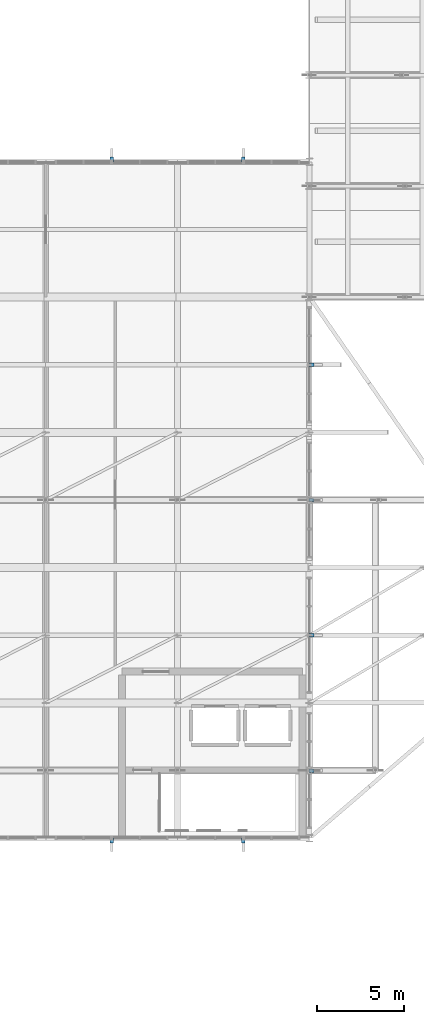
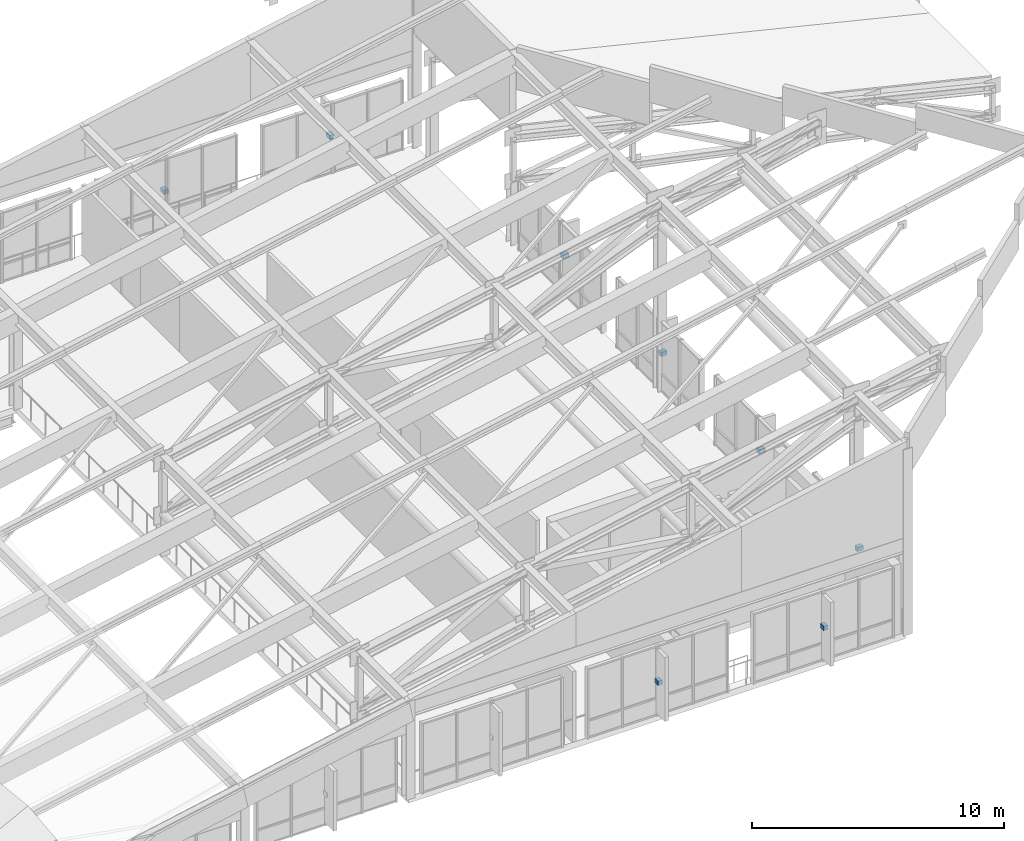
# One storey, part 61 of 73: 8 discrete accessories.
"""IFC4 building model written with IfcOpenShell, lengths in metres."""

from ifc_helpers import new_model, si_unit, direction, frame, origin, origin_2d, place, context, subcontext, project, spatial, rectangle, extrude, material, type_object, element, save


model = new_model("IFC4")

# Units and contexts
model_context = context("Model", 3, precision=1e-05, world=origin(), true_north=direction((0.0, 1.0)))
body_context = subcontext(model_context, "Body", "Model", "MODEL_VIEW")
ifc_project = project(units=[si_unit("LENGTHUNIT", "METRE"), si_unit("AREAUNIT", "SQUARE_METRE"), si_unit("VOLUMEUNIT", "CUBIC_METRE"), si_unit("PLANEANGLEUNIT", "RADIAN"), si_unit("MASSUNIT", "GRAM", prefix="KILO")], contexts=[model_context])

# Site, building, storey
site_placement = place(None, origin())
site = spatial("IfcSite", under=ifc_project, at=site_placement, CompositionType="ELEMENT")
building_placement = place(site_placement, origin())
building = spatial("IfcBuilding", under=site, at=building_placement, Name="Vervanel Yard Central Library", CompositionType="ELEMENT")
storey_placement = place(building_placement, frame((0.0, 0.0, 12.780029296875)))
storey = spatial("IfcBuildingStorey", under=building, at=storey_placement, Name="L03", CompositionType="ELEMENT", Elevation=12.780029296875)

# Discrete accessories
ifc_material = material(Name="Steel ASTM A572 Grade 50", Category="steel")
discrete_accessory_type = type_object("IfcDiscreteAccessoryType", Name="Stainless Solar Fin Fixing Bracket", PredefinedType="BRACKET", material=ifc_material)
for number, where, z_axis, x_axis, name in (
    (1, (134.60009765625, 43.070068359375, 1.60009765625), (0.0, 0.0, 1.0), (1.0, 0.0, 0.0), "L03 Solar Fin Bracket 464"),
    (2, (142.199951171875, 43.070068359375, 1.60009765625), (0.0, 0.0, 1.0), (1.0, 0.0, 0.0), "L03 Solar Fin Bracket 465"),
    (3, (134.60009765625, 82.330078125, 1.60009765625), (0.0, 0.0, 1.0), (1.0, 0.0, 0.0), "L03 Solar Fin Bracket 482"),
    (4, (142.199951171875, 82.330078125, 1.60009765625), (0.0, 0.0, 1.0), (1.0, 0.0, 0.0), "L03 Solar Fin Bracket 483"),
    (5, (146.1298828125, 47.10009765625, 1.60009765625), (0.0, 0.0, 1.0), (0.0, 1.0, 0.0), "L03 Solar Fin Bracket 495"),
    (6, (146.1298828125, 54.89990234375, 1.60009765625), (0.0, 0.0, 1.0), (0.0, 1.0, 0.0), "L03 Solar Fin Bracket 496"),
    (7, (146.1298828125, 62.699951171875, 1.60009765625), (0.0, 0.0, 1.0), (0.0, 1.0, 0.0), "L03 Solar Fin Bracket 497"),
    (8, (146.1298828125, 70.5, 1.60009765625), (0.0, 0.0, 1.0), (0.0, 1.0, 0.0), "L03 Solar Fin Bracket 498"),
):
    element("IfcDiscreteAccessory", number, at=place(storey_placement, frame(where, z_axis=z_axis, x_axis=x_axis)), inside=storey, type_object=discrete_accessory_type, Name=name, PredefinedType="BRACKET", context=body_context, shape_type="SweptSolid", body=[
        extrude(rectangle(XDim=0.199951171875, YDim=0.280029296875, at=origin_2d()), origin(), (0.0, 0.0, 1.0), 0.199951171875),
    ])

save(model, "model.ifc")
